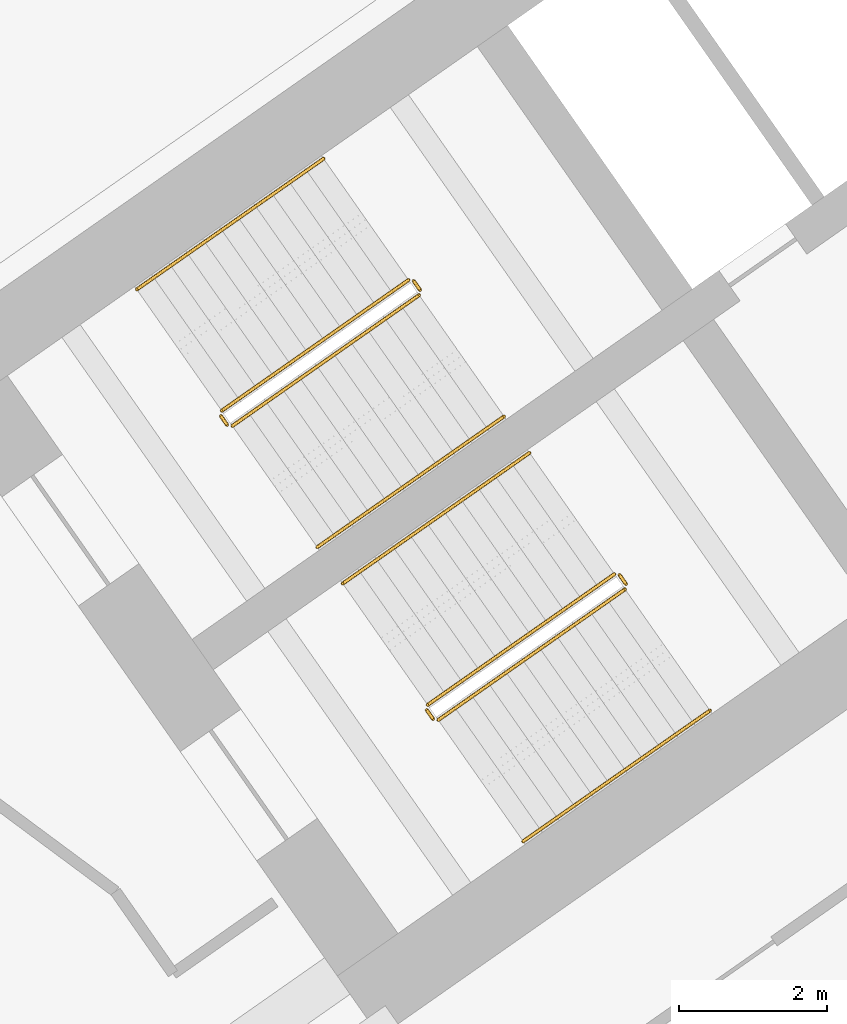
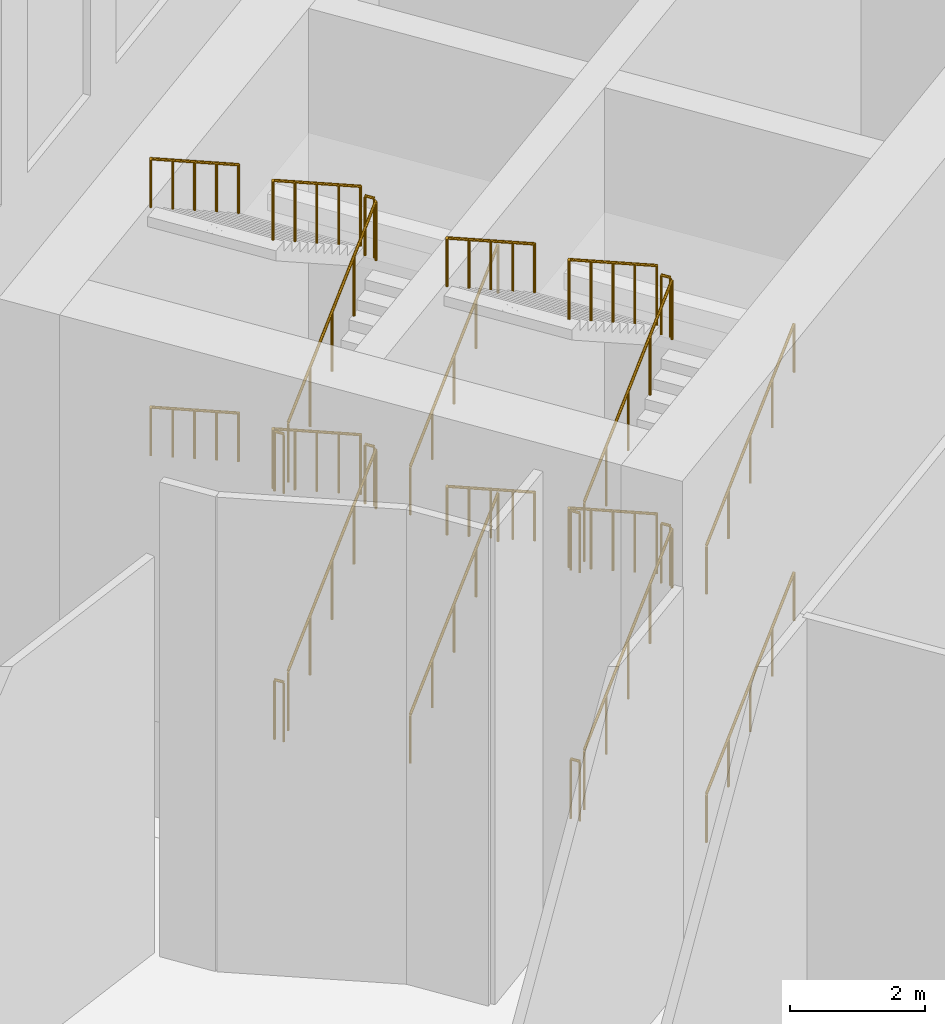
# One storey, part 25 of 27: 24 railings.
"""IFC4 building model written with IfcOpenShell, lengths in metres."""

from ifc_helpers import new_model, si_unit, direction, frame, origin, origin_2d, place, context, subcontext, project, spatial, circle, extrude, material, type_object, element, save


model = new_model("IFC4")

# Units and contexts
model_context = context("Model", 3, precision=1e-05, world=origin(), true_north=direction((0.0, 1.0)))
body_context = subcontext(model_context, "Body", "Model", "MODEL_VIEW")
ifc_project = project(units=[si_unit("LENGTHUNIT", "METRE"), si_unit("AREAUNIT", "SQUARE_METRE"), si_unit("VOLUMEUNIT", "CUBIC_METRE"), si_unit("PLANEANGLEUNIT", "RADIAN"), si_unit("MASSUNIT", "GRAM", prefix="KILO")], contexts=[model_context])

# Site, building, storey
site_placement = place(None, origin())
site = spatial("IfcSite", under=ifc_project, at=site_placement, CompositionType="ELEMENT")
building_placement = place(site_placement, origin())
building = spatial("IfcBuilding", under=site, at=building_placement, Name="Tel Ilan Convention Tower", CompositionType="ELEMENT")
storey_placement = place(building_placement, frame((0.0, 0.0, 9.0)))
storey = spatial("IfcBuildingStorey", under=building, at=storey_placement, Name="L01", CompositionType="ELEMENT", Elevation=9.0)

# Railings
ifc_material_1 = material(Name="Stainless Steel Grade 316", Category="steel")
railing_type_1 = type_object("IfcRailingType", Name="Stainless Steel Stair Guard 1100 mm", PredefinedType="GUARDRAIL", material=ifc_material_1)
railing_1_placement = place(storey_placement, frame((-23.535400390625, -8.056396484375, 0.1875)))
element("IfcRailing", 1, at=railing_1_placement, inside=storey, type_object=railing_type_1, Name="L01 S1 stair guard 1", PredefinedType="GUARDRAIL", context=body_context, shape_type="SweptSolid", body=[
    extrude(circle(Radius=0.02392578125, at=origin_2d()), frame((0.0, 0.0, 1.076171875), z_axis=(0.680634867305, 0.476589307124, 0.556416040158), x_axis=(-0.573579377721, 0.819149984711, 0.0)), (0.0, 0.0, 1.0), 3.706787109375),
    extrude(circle(Radius=0.02099609375, at=origin_2d()), origin(), (0.0, 0.0, 1.0), 1.052001953125),
    extrude(circle(Radius=0.02099609375, at=origin_2d()), frame((0.630859375, 0.441650390625, 0.515625)), (0.0, 0.0, 1.0), 1.052001953125),
    extrude(circle(Radius=0.02099609375, at=origin_2d()), frame((1.261474609375, 0.88330078125, 1.03125)), (0.0, 0.0, 1.0), 1.052001953125),
    extrude(circle(Radius=0.02099609375, at=origin_2d()), frame((1.89208984375, 1.324951171875, 1.546875)), (0.0, 0.0, 1.0), 1.052001953125),
    extrude(circle(Radius=0.02099609375, at=origin_2d()), frame((2.52294921875, 1.7666015625, 2.0625)), (0.0, 0.0, 1.0), 1.052001953125),
])
railing_2_placement = place(storey_placement, frame((-21.000244140625, -6.219970703125, 2.25)))
element("IfcRailing", 2, at=railing_2_placement, inside=storey, type_object=railing_type_1, Name="L01 S1 stair guard 2", PredefinedType="GUARDRAIL", context=body_context, shape_type="SweptSolid", body=[
    extrude(circle(Radius=0.02392578125, at=origin_2d()), frame((0.0, 0.0, 1.076171875), z_axis=(-0.573353020881, 0.819308436089, 0.0), x_axis=(-0.819308436089, -0.573353020881, 0.0)), (0.0, 0.0, 1.0), 0.14990234375),
    extrude(circle(Radius=0.02099609375, at=origin_2d()), origin(), (0.0, 0.0, 1.0), 1.052001953125),
    extrude(circle(Radius=0.02099609375, at=origin_2d()), frame((-0.0859375, 0.122802734375, 0.0)), (0.0, 0.0, 1.0), 1.052001953125),
])
railing_3_placement = place(storey_placement, frame((-21.15576171875, -6.0849609375, 2.4375)))
element("IfcRailing", 3, at=railing_3_placement, inside=storey, type_object=railing_type_1, Name="L01 S1 stair guard 3", PredefinedType="GUARDRAIL", context=body_context, shape_type="SweptSolid", body=[
    extrude(circle(Radius=0.02392578125, at=origin_2d()), frame((0.0, 0.0, 1.076171875), z_axis=(-0.680634867305, -0.476589307124, 0.556416040158), x_axis=(0.573579377721, -0.819149984711, 0.0)), (0.0, 0.0, 1.0), 3.706787109375),
    extrude(circle(Radius=0.02099609375, at=origin_2d()), origin(), (0.0, 0.0, 1.0), 1.052001953125),
    extrude(circle(Radius=0.02099609375, at=origin_2d()), frame((-0.630859375, -0.441650390625, 0.515625)), (0.0, 0.0, 1.0), 1.052001953125),
    extrude(circle(Radius=0.02099609375, at=origin_2d()), frame((-1.261474609375, -0.88330078125, 1.03125)), (0.0, 0.0, 1.0), 1.052001953125),
    extrude(circle(Radius=0.02099609375, at=origin_2d()), frame((-1.89208984375, -1.324951171875, 1.546875)), (0.0, 0.0, 1.0), 1.052001953125),
    extrude(circle(Radius=0.02099609375, at=origin_2d()), frame((-2.52294921875, -1.7666015625, 2.0625)), (0.0, 0.0, 1.0), 1.052001953125),
])
railing_4_placement = place(storey_placement, frame((-23.60498046875, -8.0439453125, 4.5)))
element("IfcRailing", 4, at=railing_4_placement, inside=storey, type_object=railing_type_1, Name="L01 S1 stair guard 4", PredefinedType="GUARDRAIL", context=body_context, shape_type="SweptSolid", body=[
    extrude(circle(Radius=0.02392578125, at=origin_2d()), frame((0.0, 0.0, 1.076171875), z_axis=(-0.574444878118, 0.818543268254, 0.0), x_axis=(-0.818543268254, -0.574444878118, 0.0)), (0.0, 0.0, 1.0), 0.150146484375),
    extrude(circle(Radius=0.02099609375, at=origin_2d()), origin(), (0.0, 0.0, 1.0), 1.052001953125),
    extrude(circle(Radius=0.02099609375, at=origin_2d()), frame((-0.086181640625, 0.122802734375, 0.0)), (0.0, 0.0, 1.0), 1.052001953125),
])
railing_5_placement = place(storey_placement, frame((-23.535400390625, -8.056396484375, 4.6875)))
element("IfcRailing", 5, at=railing_5_placement, inside=storey, type_object=railing_type_1, Name="L01 S1 stair guard 5", PredefinedType="GUARDRAIL", context=body_context, shape_type="SweptSolid", body=[
    extrude(circle(Radius=0.02392578125, at=origin_2d()), frame((0.0, 0.0, 1.076171875), z_axis=(0.680634867305, 0.476589307124, 0.556416040158), x_axis=(-0.573579377721, 0.819149984711, 0.0)), (0.0, 0.0, 1.0), 3.706787109375),
    extrude(circle(Radius=0.02099609375, at=origin_2d()), origin(), (0.0, 0.0, 1.0), 1.052001953125),
    extrude(circle(Radius=0.02099609375, at=origin_2d()), frame((0.630859375, 0.441650390625, 0.515625)), (0.0, 0.0, 1.0), 1.052001953125),
    extrude(circle(Radius=0.02099609375, at=origin_2d()), frame((1.261474609375, 0.88330078125, 1.03125)), (0.0, 0.0, 1.0), 1.052001953125),
    extrude(circle(Radius=0.02099609375, at=origin_2d()), frame((1.89208984375, 1.324951171875, 1.546875)), (0.0, 0.0, 1.0), 1.052001953125),
    extrude(circle(Radius=0.02099609375, at=origin_2d()), frame((2.52294921875, 1.7666015625, 2.0625)), (0.0, 0.0, 1.0), 1.052001953125),
])
railing_6_placement = place(storey_placement, frame((-21.000244140625, -6.219970703125, 6.75)))
element("IfcRailing", 6, at=railing_6_placement, inside=storey, type_object=railing_type_1, Name="L01 S1 stair guard 6", PredefinedType="GUARDRAIL", context=body_context, shape_type="SweptSolid", body=[
    extrude(circle(Radius=0.02392578125, at=origin_2d()), frame((0.0, 0.0, 1.076171875), z_axis=(-0.573353020881, 0.819308436089, 0.0), x_axis=(-0.819308436089, -0.573353020881, 0.0)), (0.0, 0.0, 1.0), 0.14990234375),
    extrude(circle(Radius=0.02099609375, at=origin_2d()), origin(), (0.0, 0.0, 1.0), 1.052001953125),
    extrude(circle(Radius=0.02099609375, at=origin_2d()), frame((-0.0859375, 0.122802734375, 0.0)), (0.0, 0.0, 1.0), 1.052001953125),
])
railing_7_placement = place(storey_placement, frame((-21.15576171875, -6.0849609375, 6.9375)))
element("IfcRailing", 7, at=railing_7_placement, inside=storey, type_object=railing_type_1, Name="L01 S1 stair guard 7", PredefinedType="GUARDRAIL", context=body_context, shape_type="SweptSolid", body=[
    extrude(circle(Radius=0.02392578125, at=origin_2d()), frame((0.0, 0.0, 1.076171875), z_axis=(-0.680634867305, -0.476589307124, 0.556416040158), x_axis=(0.573579377721, -0.819149984711, 0.0)), (0.0, 0.0, 1.0), 3.706787109375),
    extrude(circle(Radius=0.02099609375, at=origin_2d()), origin(), (0.0, 0.0, 1.0), 1.052001953125),
    extrude(circle(Radius=0.02099609375, at=origin_2d()), frame((-0.630859375, -0.441650390625, 0.515625)), (0.0, 0.0, 1.0), 1.052001953125),
    extrude(circle(Radius=0.02099609375, at=origin_2d()), frame((-1.261474609375, -0.88330078125, 1.03125)), (0.0, 0.0, 1.0), 1.052001953125),
    extrude(circle(Radius=0.02099609375, at=origin_2d()), frame((-1.89208984375, -1.324951171875, 1.546875)), (0.0, 0.0, 1.0), 1.052001953125),
    extrude(circle(Radius=0.02099609375, at=origin_2d()), frame((-2.52294921875, -1.7666015625, 2.0625)), (0.0, 0.0, 1.0), 1.052001953125),
])
railing_8_placement = place(storey_placement, frame((-23.60498046875, -8.0439453125, 0.0)))
element("IfcRailing", 8, at=railing_8_placement, inside=storey, type_object=railing_type_1, Name="L01 S1 stair guard 8", PredefinedType="GUARDRAIL", context=body_context, shape_type="SweptSolid", body=[
    extrude(circle(Radius=0.02392578125, at=origin_2d()), frame((0.0, 0.0, 1.076171875), z_axis=(-0.574444878118, 0.818543268254, 0.0), x_axis=(-0.818543268254, -0.574444878118, 0.0)), (0.0, 0.0, 1.0), 0.150146484375),
    extrude(circle(Radius=0.02099609375, at=origin_2d()), origin(), (0.0, 0.0, 1.0), 1.052001953125),
    extrude(circle(Radius=0.02099609375, at=origin_2d()), frame((-0.086181640625, 0.122802734375, 0.0)), (0.0, 0.0, 1.0), 1.052001953125),
])
railing_9_placement = place(storey_placement, frame((-20.753662109375, -12.029296875, 0.1875)))
element("IfcRailing", 9, at=railing_9_placement, inside=storey, type_object=railing_type_1, Name="L01 S2 stair guard 1", PredefinedType="GUARDRAIL", context=body_context, shape_type="SweptSolid", body=[
    extrude(circle(Radius=0.02392578125, at=origin_2d()), frame((0.0, 0.0, 1.076171875), z_axis=(0.680670216326, 0.476567942461, 0.556391097003), x_axis=(-0.573542135923, 0.819176060637, 0.0)), (0.0, 0.0, 1.0), 3.70703125),
    extrude(circle(Radius=0.02099609375, at=origin_2d()), origin(), (0.0, 0.0, 1.0), 1.052001953125),
    extrude(circle(Radius=0.02099609375, at=origin_2d()), frame((0.630859375, 0.441650390625, 0.515625)), (0.0, 0.0, 1.0), 1.052001953125),
    extrude(circle(Radius=0.02099609375, at=origin_2d()), frame((1.26171875, 0.88330078125, 1.03125)), (0.0, 0.0, 1.0), 1.052001953125),
    extrude(circle(Radius=0.02099609375, at=origin_2d()), frame((1.892333984375, 1.324951171875, 1.546875)), (0.0, 0.0, 1.0), 1.052001953125),
    extrude(circle(Radius=0.02099609375, at=origin_2d()), frame((2.523193359375, 1.7666015625, 2.0625)), (0.0, 0.0, 1.0), 1.052001953125),
])
railing_10_placement = place(storey_placement, frame((-18.21826171875, -10.19287109375, 2.25)))
element("IfcRailing", 10, at=railing_10_placement, inside=storey, type_object=railing_type_1, Name="L01 S2 stair guard 2", PredefinedType="GUARDRAIL", context=body_context, shape_type="SweptSolid", body=[
    extrude(circle(Radius=0.02392578125, at=origin_2d()), frame((0.0, 0.0, 1.076171875), z_axis=(-0.574444878118, 0.818543268254, 0.0), x_axis=(-0.818543268254, -0.574444878118, 0.0)), (0.0, 0.0, 1.0), 0.150146484375),
    extrude(circle(Radius=0.02099609375, at=origin_2d()), origin(), (0.0, 0.0, 1.0), 1.052001953125),
    extrude(circle(Radius=0.02099609375, at=origin_2d()), frame((-0.086181640625, 0.122802734375, 0.0)), (0.0, 0.0, 1.0), 1.052001953125),
])
railing_11_placement = place(storey_placement, frame((-18.3740234375, -10.057861328125, 2.4375)))
element("IfcRailing", 11, at=railing_11_placement, inside=storey, type_object=railing_type_1, Name="L01 S2 stair guard 3", PredefinedType="GUARDRAIL", context=body_context, shape_type="SweptSolid", body=[
    extrude(circle(Radius=0.02392578125, at=origin_2d()), frame((0.0, 0.0, 1.076171875), z_axis=(-0.680634867305, -0.476589307124, 0.556416040158), x_axis=(0.573579377721, -0.819149984711, 0.0)), (0.0, 0.0, 1.0), 3.706787109375),
    extrude(circle(Radius=0.02099609375, at=origin_2d()), origin(), (0.0, 0.0, 1.0), 1.052001953125),
    extrude(circle(Radius=0.02099609375, at=origin_2d()), frame((-0.630859375, -0.441650390625, 0.515625)), (0.0, 0.0, 1.0), 1.052001953125),
    extrude(circle(Radius=0.02099609375, at=origin_2d()), frame((-1.261474609375, -0.88330078125, 1.03125)), (0.0, 0.0, 1.0), 1.052001953125),
    extrude(circle(Radius=0.02099609375, at=origin_2d()), frame((-1.89208984375, -1.324951171875, 1.546875)), (0.0, 0.0, 1.0), 1.052001953125),
    extrude(circle(Radius=0.02099609375, at=origin_2d()), frame((-2.52294921875, -1.7666015625, 2.0625)), (0.0, 0.0, 1.0), 1.052001953125),
])
railing_12_placement = place(storey_placement, frame((-20.8232421875, -12.016845703125, 4.5)))
element("IfcRailing", 12, at=railing_12_placement, inside=storey, type_object=railing_type_1, Name="L01 S2 stair guard 4", PredefinedType="GUARDRAIL", context=body_context, shape_type="SweptSolid", body=[
    extrude(circle(Radius=0.02392578125, at=origin_2d()), frame((0.0, 0.0, 1.076171875), z_axis=(-0.573353020881, 0.819308436089, 0.0), x_axis=(-0.819308436089, -0.573353020881, 0.0)), (0.0, 0.0, 1.0), 0.14990234375),
    extrude(circle(Radius=0.02099609375, at=origin_2d()), origin(), (0.0, 0.0, 1.0), 1.052001953125),
    extrude(circle(Radius=0.02099609375, at=origin_2d()), frame((-0.0859375, 0.122802734375, 0.0)), (0.0, 0.0, 1.0), 1.052001953125),
])
railing_13_placement = place(storey_placement, frame((-20.753662109375, -12.029296875, 4.6875)))
element("IfcRailing", 13, at=railing_13_placement, inside=storey, type_object=railing_type_1, Name="L01 S2 stair guard 5", PredefinedType="GUARDRAIL", context=body_context, shape_type="SweptSolid", body=[
    extrude(circle(Radius=0.02392578125, at=origin_2d()), frame((0.0, 0.0, 1.076171875), z_axis=(0.680670216326, 0.476567942461, 0.556391097003), x_axis=(-0.573542135923, 0.819176060637, 0.0)), (0.0, 0.0, 1.0), 3.70703125),
    extrude(circle(Radius=0.02099609375, at=origin_2d()), origin(), (0.0, 0.0, 1.0), 1.052001953125),
    extrude(circle(Radius=0.02099609375, at=origin_2d()), frame((0.630859375, 0.441650390625, 0.515625)), (0.0, 0.0, 1.0), 1.052001953125),
    extrude(circle(Radius=0.02099609375, at=origin_2d()), frame((1.26171875, 0.88330078125, 1.03125)), (0.0, 0.0, 1.0), 1.052001953125),
    extrude(circle(Radius=0.02099609375, at=origin_2d()), frame((1.892333984375, 1.324951171875, 1.546875)), (0.0, 0.0, 1.0), 1.052001953125),
    extrude(circle(Radius=0.02099609375, at=origin_2d()), frame((2.523193359375, 1.7666015625, 2.0625)), (0.0, 0.0, 1.0), 1.052001953125),
])
railing_14_placement = place(storey_placement, frame((-18.21826171875, -10.19287109375, 6.75)))
element("IfcRailing", 14, at=railing_14_placement, inside=storey, type_object=railing_type_1, Name="L01 S2 stair guard 6", PredefinedType="GUARDRAIL", context=body_context, shape_type="SweptSolid", body=[
    extrude(circle(Radius=0.02392578125, at=origin_2d()), frame((0.0, 0.0, 1.076171875), z_axis=(-0.574444878118, 0.818543268254, 0.0), x_axis=(-0.818543268254, -0.574444878118, 0.0)), (0.0, 0.0, 1.0), 0.150146484375),
    extrude(circle(Radius=0.02099609375, at=origin_2d()), origin(), (0.0, 0.0, 1.0), 1.052001953125),
    extrude(circle(Radius=0.02099609375, at=origin_2d()), frame((-0.086181640625, 0.122802734375, 0.0)), (0.0, 0.0, 1.0), 1.052001953125),
])
railing_15_placement = place(storey_placement, frame((-18.3740234375, -10.057861328125, 6.9375)))
element("IfcRailing", 15, at=railing_15_placement, inside=storey, type_object=railing_type_1, Name="L01 S2 stair guard 7", PredefinedType="GUARDRAIL", context=body_context, shape_type="SweptSolid", body=[
    extrude(circle(Radius=0.02392578125, at=origin_2d()), frame((0.0, 0.0, 1.076171875), z_axis=(-0.680634867305, -0.476589307124, 0.556416040158), x_axis=(0.573579377721, -0.819149984711, 0.0)), (0.0, 0.0, 1.0), 3.706787109375),
    extrude(circle(Radius=0.02099609375, at=origin_2d()), origin(), (0.0, 0.0, 1.0), 1.052001953125),
    extrude(circle(Radius=0.02099609375, at=origin_2d()), frame((-0.630859375, -0.441650390625, 0.515625)), (0.0, 0.0, 1.0), 1.052001953125),
    extrude(circle(Radius=0.02099609375, at=origin_2d()), frame((-1.261474609375, -0.88330078125, 1.03125)), (0.0, 0.0, 1.0), 1.052001953125),
    extrude(circle(Radius=0.02099609375, at=origin_2d()), frame((-1.89208984375, -1.324951171875, 1.546875)), (0.0, 0.0, 1.0), 1.052001953125),
    extrude(circle(Radius=0.02099609375, at=origin_2d()), frame((-2.52294921875, -1.7666015625, 2.0625)), (0.0, 0.0, 1.0), 1.052001953125),
])
railing_16_placement = place(storey_placement, frame((-20.8232421875, -12.016845703125, 0.0)))
element("IfcRailing", 16, at=railing_16_placement, inside=storey, type_object=railing_type_1, Name="L01 S2 stair guard 8", PredefinedType="GUARDRAIL", context=body_context, shape_type="SweptSolid", body=[
    extrude(circle(Radius=0.02392578125, at=origin_2d()), frame((0.0, 0.0, 1.076171875), z_axis=(-0.573353020881, 0.819308436089, 0.0), x_axis=(-0.819308436089, -0.573353020881, 0.0)), (0.0, 0.0, 1.0), 0.14990234375),
    extrude(circle(Radius=0.02099609375, at=origin_2d()), origin(), (0.0, 0.0, 1.0), 1.052001953125),
    extrude(circle(Radius=0.02099609375, at=origin_2d()), frame((-0.0859375, 0.122802734375, 0.0)), (0.0, 0.0, 1.0), 1.052001953125),
])
ifc_material_2 = material(Name="Stainless Steel Grade 316", Category="steel")
railing_type_2 = type_object("IfcRailingType", Name="Stainless Steel Stair Handrail 900 mm", PredefinedType="HANDRAIL", material=ifc_material_2)
railing_17_placement = place(storey_placement, frame((-22.38818359375, -9.694580078125, 0.1875)))
element("IfcRailing", 17, at=railing_17_placement, inside=storey, type_object=railing_type_2, Name="L01 S1 stair handrail 1", PredefinedType="HANDRAIL", context=body_context, shape_type="SweptSolid", body=[
    extrude(circle(Radius=0.02392578125, at=origin_2d()), frame((0.0, 0.0, 0.8759765625), z_axis=(0.680634867305, 0.476589307124, 0.556416040158), x_axis=(-0.573579377721, 0.819149984711, 0.0)), (0.0, 0.0, 1.0), 3.706787109375),
    extrude(circle(Radius=0.02099609375, at=origin_2d()), origin(), (0.0, 0.0, 1.0), 0.851806640625),
    extrude(circle(Radius=0.02099609375, at=origin_2d()), frame((0.630859375, 0.441650390625, 0.515625)), (0.0, 0.0, 1.0), 0.851806640625),
    extrude(circle(Radius=0.02099609375, at=origin_2d()), frame((1.261474609375, 0.88330078125, 1.03125)), (0.0, 0.0, 1.0), 0.851806640625),
    extrude(circle(Radius=0.02099609375, at=origin_2d()), frame((1.89208984375, 1.324951171875, 1.546875)), (0.0, 0.0, 1.0), 0.851806640625),
    extrude(circle(Radius=0.02099609375, at=origin_2d()), frame((2.52294921875, 1.7666015625, 2.0625)), (0.0, 0.0, 1.0), 0.851806640625),
])
railing_18_placement = place(storey_placement, frame((-22.302978515625, -4.446533203125, 2.4375)))
element("IfcRailing", 18, at=railing_18_placement, inside=storey, type_object=railing_type_2, Name="L01 S1 stair handrail 2", PredefinedType="HANDRAIL", context=body_context, shape_type="SweptSolid", body=[
    extrude(circle(Radius=0.02392578125, at=origin_2d()), frame((0.0, 0.0, 0.8759765625), z_axis=(-0.680634867305, -0.476589307124, 0.556416040158), x_axis=(0.573579377721, -0.819149984711, 0.0)), (0.0, 0.0, 1.0), 3.706787109375),
    extrude(circle(Radius=0.02099609375, at=origin_2d()), origin(), (0.0, 0.0, 1.0), 0.851806640625),
    extrude(circle(Radius=0.02099609375, at=origin_2d()), frame((-0.630859375, -0.441650390625, 0.515625)), (0.0, 0.0, 1.0), 0.851806640625),
    extrude(circle(Radius=0.02099609375, at=origin_2d()), frame((-1.261474609375, -0.88330078125, 1.03125)), (0.0, 0.0, 1.0), 0.851806640625),
    extrude(circle(Radius=0.02099609375, at=origin_2d()), frame((-1.89208984375, -1.324951171875, 1.546875)), (0.0, 0.0, 1.0), 0.851806640625),
    extrude(circle(Radius=0.02099609375, at=origin_2d()), frame((-2.52294921875, -1.7666015625, 2.0625)), (0.0, 0.0, 1.0), 0.851806640625),
])
railing_19_placement = place(storey_placement, frame((-22.38818359375, -9.694580078125, 4.6875)))
element("IfcRailing", 19, at=railing_19_placement, inside=storey, type_object=railing_type_2, Name="L01 S1 stair handrail 3", PredefinedType="HANDRAIL", context=body_context, shape_type="SweptSolid", body=[
    extrude(circle(Radius=0.02392578125, at=origin_2d()), frame((0.0, 0.0, 0.8759765625), z_axis=(0.680634867305, 0.476589307124, 0.556416040158), x_axis=(-0.573579377721, 0.819149984711, 0.0)), (0.0, 0.0, 1.0), 3.706787109375),
    extrude(circle(Radius=0.02099609375, at=origin_2d()), origin(), (0.0, 0.0, 1.0), 0.851806640625),
    extrude(circle(Radius=0.02099609375, at=origin_2d()), frame((0.630859375, 0.441650390625, 0.515625)), (0.0, 0.0, 1.0), 0.851806640625),
    extrude(circle(Radius=0.02099609375, at=origin_2d()), frame((1.261474609375, 0.88330078125, 1.03125)), (0.0, 0.0, 1.0), 0.851806640625),
    extrude(circle(Radius=0.02099609375, at=origin_2d()), frame((1.89208984375, 1.324951171875, 1.546875)), (0.0, 0.0, 1.0), 0.851806640625),
    extrude(circle(Radius=0.02099609375, at=origin_2d()), frame((2.52294921875, 1.7666015625, 2.0625)), (0.0, 0.0, 1.0), 0.851806640625),
])
railing_20_placement = place(storey_placement, frame((-22.302978515625, -4.446533203125, 6.9375)))
element("IfcRailing", 20, at=railing_20_placement, inside=storey, type_object=railing_type_2, Name="L01 S1 stair handrail 4", PredefinedType="HANDRAIL", context=body_context, shape_type="SweptSolid", body=[
    extrude(circle(Radius=0.02392578125, at=origin_2d()), frame((0.0, 0.0, 0.8759765625), z_axis=(-0.680634867305, -0.476589307124, 0.556416040158), x_axis=(0.573579377721, -0.819149984711, 0.0)), (0.0, 0.0, 1.0), 3.706787109375),
    extrude(circle(Radius=0.02099609375, at=origin_2d()), origin(), (0.0, 0.0, 1.0), 0.851806640625),
    extrude(circle(Radius=0.02099609375, at=origin_2d()), frame((-0.630859375, -0.441650390625, 0.515625)), (0.0, 0.0, 1.0), 0.851806640625),
    extrude(circle(Radius=0.02099609375, at=origin_2d()), frame((-1.261474609375, -0.88330078125, 1.03125)), (0.0, 0.0, 1.0), 0.851806640625),
    extrude(circle(Radius=0.02099609375, at=origin_2d()), frame((-1.89208984375, -1.324951171875, 1.546875)), (0.0, 0.0, 1.0), 0.851806640625),
    extrude(circle(Radius=0.02099609375, at=origin_2d()), frame((-2.52294921875, -1.7666015625, 2.0625)), (0.0, 0.0, 1.0), 0.851806640625),
])
railing_21_placement = place(storey_placement, frame((-19.6064453125, -13.66748046875, 0.1875)))
element("IfcRailing", 21, at=railing_21_placement, inside=storey, type_object=railing_type_2, Name="L01 S2 stair handrail 1", PredefinedType="HANDRAIL", context=body_context, shape_type="SweptSolid", body=[
    extrude(circle(Radius=0.02392578125, at=origin_2d()), frame((0.0, 0.0, 0.8759765625), z_axis=(0.680634867305, 0.476589307124, 0.556416040158), x_axis=(-0.573579377721, 0.819149984711, 0.0)), (0.0, 0.0, 1.0), 3.706787109375),
    extrude(circle(Radius=0.02099609375, at=origin_2d()), origin(), (0.0, 0.0, 1.0), 0.851806640625),
    extrude(circle(Radius=0.02099609375, at=origin_2d()), frame((0.630859375, 0.441650390625, 0.515625)), (0.0, 0.0, 1.0), 0.851806640625),
    extrude(circle(Radius=0.02099609375, at=origin_2d()), frame((1.261474609375, 0.88330078125, 1.03125)), (0.0, 0.0, 1.0), 0.851806640625),
    extrude(circle(Radius=0.02099609375, at=origin_2d()), frame((1.89208984375, 1.324951171875, 1.546875)), (0.0, 0.0, 1.0), 0.851806640625),
    extrude(circle(Radius=0.02099609375, at=origin_2d()), frame((2.52294921875, 1.7666015625, 2.0625)), (0.0, 0.0, 1.0), 0.851806640625),
])
railing_22_placement = place(storey_placement, frame((-19.521240234375, -8.41943359375, 2.4375)))
element("IfcRailing", 22, at=railing_22_placement, inside=storey, type_object=railing_type_2, Name="L01 S2 stair handrail 2", PredefinedType="HANDRAIL", context=body_context, shape_type="SweptSolid", body=[
    extrude(circle(Radius=0.02392578125, at=origin_2d()), frame((0.0, 0.0, 0.8759765625), z_axis=(-0.680634867305, -0.476589307124, 0.556416040158), x_axis=(0.573579377721, -0.819149984711, 0.0)), (0.0, 0.0, 1.0), 3.706787109375),
    extrude(circle(Radius=0.02099609375, at=origin_2d()), origin(), (0.0, 0.0, 1.0), 0.851806640625),
    extrude(circle(Radius=0.02099609375, at=origin_2d()), frame((-0.630859375, -0.441650390625, 0.515625)), (0.0, 0.0, 1.0), 0.851806640625),
    extrude(circle(Radius=0.02099609375, at=origin_2d()), frame((-1.261474609375, -0.88330078125, 1.03125)), (0.0, 0.0, 1.0), 0.851806640625),
    extrude(circle(Radius=0.02099609375, at=origin_2d()), frame((-1.89208984375, -1.324951171875, 1.546875)), (0.0, 0.0, 1.0), 0.851806640625),
    extrude(circle(Radius=0.02099609375, at=origin_2d()), frame((-2.52294921875, -1.7666015625, 2.0625)), (0.0, 0.0, 1.0), 0.851806640625),
])
railing_23_placement = place(storey_placement, frame((-19.6064453125, -13.66748046875, 4.6875)))
element("IfcRailing", 23, at=railing_23_placement, inside=storey, type_object=railing_type_2, Name="L01 S2 stair handrail 3", PredefinedType="HANDRAIL", context=body_context, shape_type="SweptSolid", body=[
    extrude(circle(Radius=0.02392578125, at=origin_2d()), frame((0.0, 0.0, 0.8759765625), z_axis=(0.680634867305, 0.476589307124, 0.556416040158), x_axis=(-0.573579377721, 0.819149984711, 0.0)), (0.0, 0.0, 1.0), 3.706787109375),
    extrude(circle(Radius=0.02099609375, at=origin_2d()), origin(), (0.0, 0.0, 1.0), 0.851806640625),
    extrude(circle(Radius=0.02099609375, at=origin_2d()), frame((0.630859375, 0.441650390625, 0.515625)), (0.0, 0.0, 1.0), 0.851806640625),
    extrude(circle(Radius=0.02099609375, at=origin_2d()), frame((1.261474609375, 0.88330078125, 1.03125)), (0.0, 0.0, 1.0), 0.851806640625),
    extrude(circle(Radius=0.02099609375, at=origin_2d()), frame((1.89208984375, 1.324951171875, 1.546875)), (0.0, 0.0, 1.0), 0.851806640625),
    extrude(circle(Radius=0.02099609375, at=origin_2d()), frame((2.52294921875, 1.7666015625, 2.0625)), (0.0, 0.0, 1.0), 0.851806640625),
])
railing_24_placement = place(storey_placement, frame((-19.521240234375, -8.41943359375, 6.9375)))
element("IfcRailing", 24, at=railing_24_placement, inside=storey, type_object=railing_type_2, Name="L01 S2 stair handrail 4", PredefinedType="HANDRAIL", context=body_context, shape_type="SweptSolid", body=[
    extrude(circle(Radius=0.02392578125, at=origin_2d()), frame((0.0, 0.0, 0.8759765625), z_axis=(-0.680634867305, -0.476589307124, 0.556416040158), x_axis=(0.573579377721, -0.819149984711, 0.0)), (0.0, 0.0, 1.0), 3.706787109375),
    extrude(circle(Radius=0.02099609375, at=origin_2d()), origin(), (0.0, 0.0, 1.0), 0.851806640625),
    extrude(circle(Radius=0.02099609375, at=origin_2d()), frame((-0.630859375, -0.441650390625, 0.515625)), (0.0, 0.0, 1.0), 0.851806640625),
    extrude(circle(Radius=0.02099609375, at=origin_2d()), frame((-1.261474609375, -0.88330078125, 1.03125)), (0.0, 0.0, 1.0), 0.851806640625),
    extrude(circle(Radius=0.02099609375, at=origin_2d()), frame((-1.89208984375, -1.324951171875, 1.546875)), (0.0, 0.0, 1.0), 0.851806640625),
    extrude(circle(Radius=0.02099609375, at=origin_2d()), frame((-2.52294921875, -1.7666015625, 2.0625)), (0.0, 0.0, 1.0), 0.851806640625),
])

save(model, "model.ifc")
